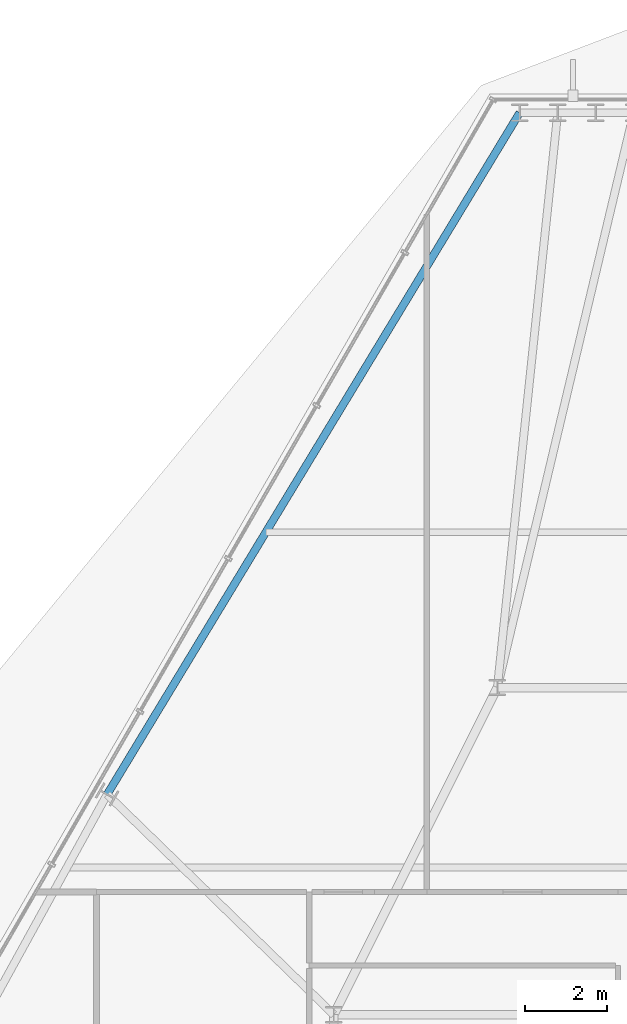
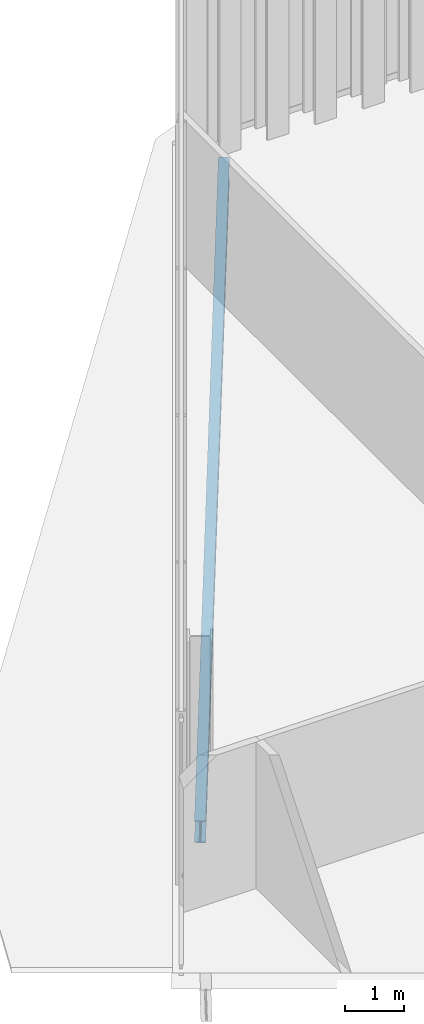
# One storey, part 24 of 37: 1 beam.
"""IFC4 building model written with IfcOpenShell, lengths in metres."""

from ifc_helpers import new_model, si_unit, direction, frame, origin, origin_2d, place, context, subcontext, project, spatial, i_section, extrude, material, material_profile, profile_set, type_object, element, save


model = new_model("IFC4")

# Units and contexts
model_context = context("Model", 3, precision=1e-05, world=origin(), true_north=direction((0.0, 1.0)))
body_context = subcontext(model_context, "Body", "Model", "MODEL_VIEW")
ifc_project = project(units=[si_unit("LENGTHUNIT", "METRE"), si_unit("AREAUNIT", "SQUARE_METRE"), si_unit("VOLUMEUNIT", "CUBIC_METRE"), si_unit("PLANEANGLEUNIT", "RADIAN"), si_unit("MASSUNIT", "GRAM", prefix="KILO")], contexts=[model_context])

# Site, building, storey
site_placement = place(None, origin())
site = spatial("IfcSite", under=ifc_project, at=site_placement, CompositionType="ELEMENT")
building_placement = place(site_placement, origin())
building = spatial("IfcBuilding", under=site, at=building_placement, Name="Ndaravel Arena Tower", CompositionType="ELEMENT")
storey_placement = place(building_placement, frame((0.0, 0.0, 218.0)))
storey = spatial("IfcBuildingStorey", under=building, at=storey_placement, Name="L52", CompositionType="ELEMENT", Elevation=218.0)

# Beam
ifc_material = material(Name="Steel S355", Category="steel")
ifc_material_profile = material_profile(ifc_material, i_section(OverallWidth=0.18994140625, OverallDepth=0.449951171875, WebThickness=0.009521484375, FlangeThickness=0.0146484375, FilletRadius=0.02099609375, at=origin_2d()), Name="IPE 450")
ifc_profile_set = profile_set([ifc_material_profile], Name="Steel S355")
beam_type = type_object("IfcBeamType", Name="BM-SPAN-IPE450", PredefinedType="SPANDREL", material=ifc_profile_set)
beam_placement = place(storey_placement, frame((38.74755859375, 45.2578125, -0.445068359375), z_axis=(-0.517771790163, -0.855518774377, 0.0), x_axis=(0.855518774377, -0.517771790163, 0.0)))
element("IfcBeam", 1, at=beam_placement, inside=storey, type_object=beam_type, Name="L52 Perimeter Spandrel Beam SP-18", PredefinedType="SPANDREL", context=body_context, shape_type="SweptSolid", body=[
    extrude(i_section(OverallWidth=0.18994140625, OverallDepth=0.449951171875, WebThickness=0.009521484375, FlangeThickness=0.0146484375, FilletRadius=0.02099609375, at=origin_2d()), origin(), (0.0, 0.0, 1.0), 19.485107421875),
])

save(model, "model.ifc")
